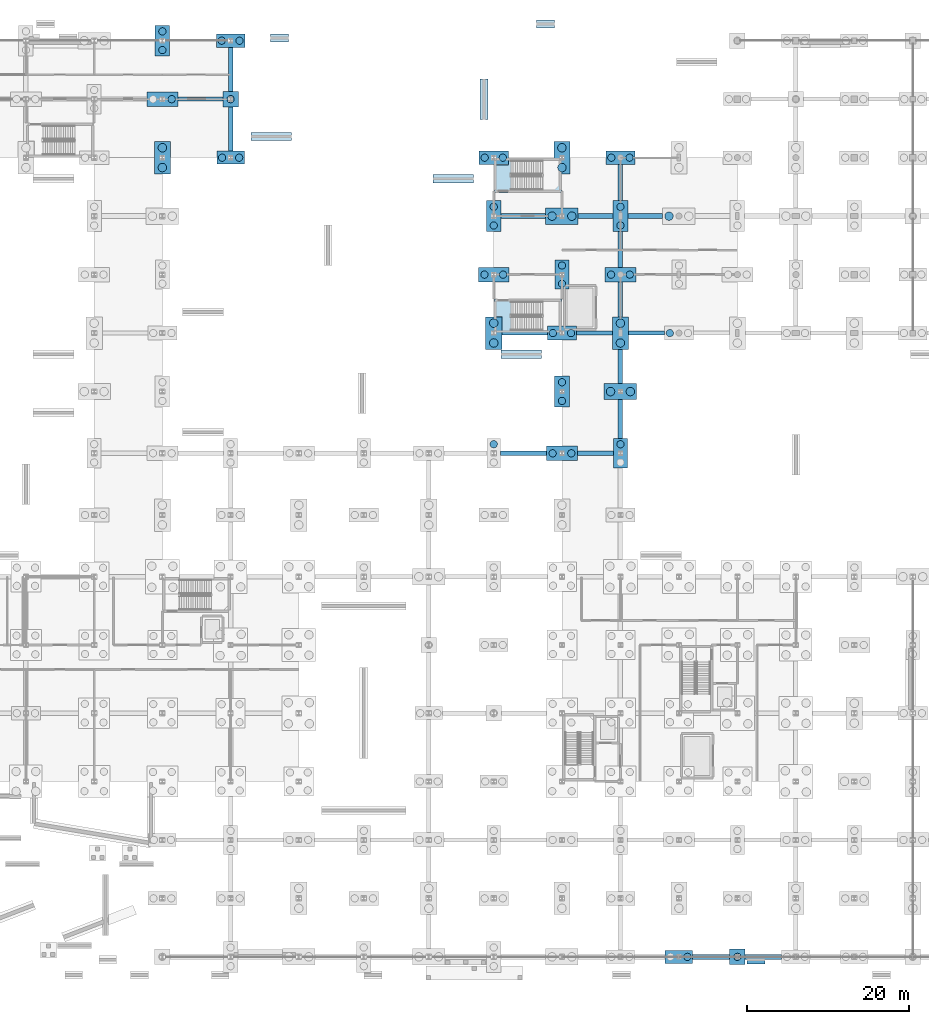
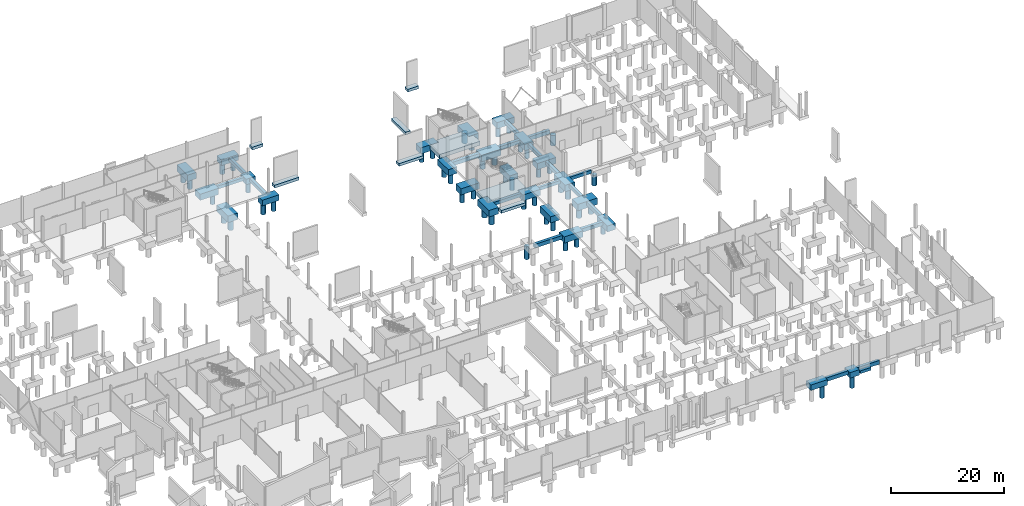
# One storey, part 9 of 61: 51 footings, 46 piles.
"""IFC4 building model written with IfcOpenShell, lengths in metres."""

from ifc_helpers import new_model, si_unit, direction, frame, origin, origin_2d, place, context, subcontext, project, spatial, polyline, rectangle, circle, outline, extrude, material, material_profile, profile_set, type_object, element, save


model = new_model("IFC4")

# Units and contexts
model_context = context("Model", 3, precision=1e-05, world=origin(), true_north=direction((0.0, 1.0)))
body_context = subcontext(model_context, "Body", "Model", "MODEL_VIEW")
ifc_project = project(units=[si_unit("LENGTHUNIT", "METRE"), si_unit("AREAUNIT", "SQUARE_METRE"), si_unit("VOLUMEUNIT", "CUBIC_METRE"), si_unit("PLANEANGLEUNIT", "RADIAN"), si_unit("MASSUNIT", "GRAM", prefix="KILO")], contexts=[model_context])

# Site, building, storey
site_placement = place(None, origin())
site = spatial("IfcSite", under=ifc_project, at=site_placement, CompositionType="ELEMENT")
building_placement = place(site_placement, origin())
building = spatial("IfcBuilding", under=site, at=building_placement, Name="Calvrana Isthmian Art Gallery", CompositionType="ELEMENT")
storey_placement = place(building_placement, frame((0.0, 0.0, -5.39990234375)))
storey = spatial("IfcBuildingStorey", under=building, at=storey_placement, Name="B1", CompositionType="ELEMENT", Elevation=-5.39990234375)

# Footings
ifc_material_1 = material(Name="Concrete C40/50", Category="concrete")
footing_type_1 = type_object("IfcFootingType", Name="FT-MAT-CORE", PredefinedType="PAD_FOOTING", material=ifc_material_1)
footing_1_placement = place(storey_placement, frame((0.0, 0.0, -1.300048828125)))
element("IfcFooting", 1, at=footing_1_placement, inside=storey, type_object=footing_type_1, Name="Core C5 mat footing", PredefinedType="PAD_FOOTING", context=body_context, shape_type="SweptSolid", body=[
    extrude(outline(polyline([(112.719970703125, 80.969970703125), (112.719970703125, 77.68994140625), (110.9599609375, 77.68994140625), (110.9599609375, 76.8798828125), (105.43994140625, 76.8798828125), (105.43994140625, 78.840087890625), (104.47998046875, 78.840087890625), (104.47998046875, 80.969970703125), (112.719970703125, 80.969970703125)])), origin(), (0.0, 0.0, 1.0), 0.849853515625),
])
footing_2_placement = place(storey_placement, frame((0.0, 0.0, -1.300048828125)))
element("IfcFooting", 2, at=footing_2_placement, inside=storey, type_object=footing_type_1, Name="Core C8 mat footing", PredefinedType="PAD_FOOTING", context=body_context, shape_type="SweptSolid", body=[
    extrude(outline(polyline([(112.719970703125, 94.1298828125), (104.47998046875, 94.1298828125), (104.47998046875, 97.510009765625), (106.239990234375, 97.510009765625), (106.239990234375, 98.320068359375), (111.760009765625, 98.320068359375), (111.760009765625, 96.360107421875), (112.719970703125, 96.360107421875), (112.719970703125, 94.1298828125)])), origin(), (0.0, 0.0, 1.0), 0.849853515625),
])
ifc_material_2 = material(Name="Concrete C35/45", Category="concrete")
footing_type_2 = type_object("IfcFootingType", Name="FT-PC-170X360X130", PredefinedType="PILE_CAP", material=ifc_material_2)
for number, where, z_axis, x_axis, name in (
    (3, (112.800048828125, 84.0, -1.75), (0.0, 0.0, 1.0), (1.0, 0.0, 0.0), "Pile cap 15/L"),
    (4, (120.0, 62.0, -1.75), (0.0, 0.0, 1.0), (1.0, 0.0, 0.0), "Pile cap 16/I"),
):
    element("IfcFooting", number, at=place(storey_placement, frame(where, z_axis=z_axis, x_axis=x_axis)), inside=storey, type_object=footing_type_2, Name=name, PredefinedType="PILE_CAP", context=body_context, shape_type="SweptSolid", body=[
        extrude(rectangle(XDim=1.699951171875, YDim=3.60009765625, at=origin_2d()), origin(), (0.0, 0.0, 1.0), 1.300048828125),
    ])
footing_type_3 = type_object("IfcFootingType", Name="FT-PC-180X380X135", PredefinedType="PILE_CAP", material=ifc_material_2)
for number, where, z_axis, x_axis, name in (
    (5, (63.60009765625, 112.800048828125, -1.800048828125), (0.0, 0.0, 1.0), (1.0, 0.0, 0.0), "Pile cap 09/P"),
    (6, (104.39990234375, 91.199951171875, -1.800048828125), (0.0, 0.0, 1.0), (1.0, 0.0, 0.0), "Pile cap 14/M"),
    (7, (112.800048828125, 69.60009765625, -1.800048828125), (0.0, 0.0, 1.0), (1.0, 0.0, 0.0), "Pile cap 15/J"),
    (8, (120.0, 91.199951171875, -1.800048828125), (0.0, 0.0, 1.0), (1.0, 0.0, 0.0), "Pile cap 16/M"),
):
    element("IfcFooting", number, at=place(storey_placement, frame(where, z_axis=z_axis, x_axis=x_axis)), inside=storey, type_object=footing_type_3, Name=name, PredefinedType="PILE_CAP", context=body_context, shape_type="SweptSolid", body=[
        extrude(rectangle(XDim=1.800048828125, YDim=3.800048828125, at=origin_2d()), origin(), (0.0, 0.0, 1.0), 1.35009765625),
    ])
footing_type_4 = type_object("IfcFootingType", Name="FT-PC-190X190X120", PredefinedType="PILE_CAP", material=ifc_material_2)
for number, where, z_axis, x_axis, name in (
    (9, (72.0, 105.60009765625, -1.64990234375), (0.0, 0.0, 1.0), (1.0, 0.0, 0.0), "Pile cap 10/O"),
    (10, (134.39990234375, 0.0, -1.2001953125), (0.0, 0.0, 1.0), (1.0, 0.0, 0.0), "Pile cap 18/A"),
):
    element("IfcFooting", number, at=place(storey_placement, frame(where, z_axis=z_axis, x_axis=x_axis)), inside=storey, type_object=footing_type_4, Name=name, PredefinedType="PILE_CAP", context=body_context, shape_type="SweptSolid", body=[
        extrude(rectangle(XDim=1.89990234375, YDim=1.89990234375, at=origin_2d()), origin(), (0.0, 0.0, 1.0), 1.199951171875),
    ])
footing_type_5 = type_object("IfcFootingType", Name="FT-PC-200X400X140", PredefinedType="PILE_CAP", material=ifc_material_2)
for number, where, z_axis, x_axis, name in (
    (11, (63.60009765625, 98.39990234375, -1.85009765625), (0.0, 0.0, 1.0), (1.0, 0.0, 0.0), "Pile cap 09/N"),
    (12, (104.39990234375, 76.800048828125, -1.85009765625), (0.0, 0.0, 1.0), (1.0, 0.0, 0.0), "Pile cap 14/K"),
    (13, (112.800048828125, 98.39990234375, -1.85009765625), (0.0, 0.0, 1.0), (1.0, 0.0, 0.0), "Pile cap 15/N"),
    (14, (120.0, 76.800048828125, -1.85009765625), (0.0, 0.0, 1.0), (1.0, 0.0, 0.0), "Pile cap 16/K"),
):
    element("IfcFooting", number, at=place(storey_placement, frame(where, z_axis=z_axis, x_axis=x_axis)), inside=storey, type_object=footing_type_5, Name=name, PredefinedType="PILE_CAP", context=body_context, shape_type="SweptSolid", body=[
        extrude(rectangle(XDim=2.0, YDim=4.0, at=origin_2d()), origin(), (0.0, 0.0, 1.0), 1.39990234375),
    ])
footing_type_6 = type_object("IfcFootingType", Name="FT-PC-340X160X120", PredefinedType="PILE_CAP", material=ifc_material_2)
for number, where, z_axis, x_axis, name in (
    (15, (72.0, 98.39990234375, -1.64990234375), (0.0, 0.0, 1.0), (1.0, 0.0, 0.0), "Pile cap 10/N"),
    (16, (127.199951171875, 0.0, -1.2001953125), (0.0, 0.0, 1.0), (1.0, 0.0, 0.0), "Pile cap 17/A"),
):
    element("IfcFooting", number, at=place(storey_placement, frame(where, z_axis=z_axis, x_axis=x_axis)), inside=storey, type_object=footing_type_6, Name=name, PredefinedType="PILE_CAP", context=body_context, shape_type="SweptSolid", body=[
        extrude(rectangle(XDim=3.39990234375, YDim=1.60009765625, at=origin_2d()), origin(), (0.0, 0.0, 1.0), 1.199951171875),
    ])
footing_type_7 = type_object("IfcFootingType", Name="FT-PC-350X165X125", PredefinedType="PILE_CAP", material=ifc_material_2)
footing_3_placement = place(storey_placement, frame((72.0, 112.800048828125, -1.7001953125), z_axis=(0.0, 0.0, 1.0), x_axis=(1.0, 0.0, 0.0)))
element("IfcFooting", 17, at=footing_3_placement, inside=storey, type_object=footing_type_7, Name="Pile cap 10/P", PredefinedType="PILE_CAP", context=body_context, shape_type="SweptSolid", body=[
    extrude(rectangle(XDim=3.5, YDim=1.64990234375, at=origin_2d()), origin(), (0.0, 0.0, 1.0), 1.25),
])
footing_type_8 = type_object("IfcFootingType", Name="FT-PC-360X170X130", PredefinedType="PILE_CAP", material=ifc_material_2)
for number, where, z_axis, x_axis, name in (
    (18, (104.39990234375, 98.39990234375, -1.75), (0.0, 0.0, 1.0), (1.0, 0.0, 0.0), "Pile cap 14/N"),
    (19, (112.800048828125, 76.800048828125, -1.75), (0.0, 0.0, 1.0), (1.0, 0.0, 0.0), "Pile cap 15/K"),
    (20, (120.0, 98.39990234375, -1.75), (0.0, 0.0, 1.0), (1.0, 0.0, 0.0), "Pile cap 16/N"),
):
    element("IfcFooting", number, at=place(storey_placement, frame(where, z_axis=z_axis, x_axis=x_axis)), inside=storey, type_object=footing_type_8, Name=name, PredefinedType="PILE_CAP", context=body_context, shape_type="SweptSolid", body=[
        extrude(rectangle(XDim=3.60009765625, YDim=1.699951171875, at=origin_2d()), origin(), (0.0, 0.0, 1.0), 1.300048828125),
    ])
footing_type_9 = type_object("IfcFootingType", Name="FT-PC-380X180X135", PredefinedType="PILE_CAP", material=ifc_material_2)
for number, where, z_axis, x_axis, name in (
    (21, (63.60009765625, 105.60009765625, -1.800048828125), (0.0, 0.0, 1.0), (1.0, 0.0, 0.0), "Pile cap 09/O"),
    (22, (104.39990234375, 84.0, -1.800048828125), (0.0, 0.0, 1.0), (1.0, 0.0, 0.0), "Pile cap 14/L"),
    (23, (112.800048828125, 62.0, -1.800048828125), (0.0, 0.0, 1.0), (1.0, 0.0, 0.0), "Pile cap 15/I"),
    (24, (120.0, 84.0, -1.800048828125), (0.0, 0.0, 1.0), (1.0, 0.0, 0.0), "Pile cap 16/L"),
):
    element("IfcFooting", number, at=place(storey_placement, frame(where, z_axis=z_axis, x_axis=x_axis)), inside=storey, type_object=footing_type_9, Name=name, PredefinedType="PILE_CAP", context=body_context, shape_type="SweptSolid", body=[
        extrude(rectangle(XDim=3.800048828125, YDim=1.800048828125, at=origin_2d()), origin(), (0.0, 0.0, 1.0), 1.35009765625),
    ])
footing_type_10 = type_object("IfcFootingType", Name="FT-PC-400X200X140", PredefinedType="PILE_CAP", material=ifc_material_2)
for number, where, z_axis, x_axis, name in (
    (25, (112.800048828125, 91.199951171875, -1.85009765625), (0.0, 0.0, 1.0), (1.0, 0.0, 0.0), "Pile cap 15/M"),
    (26, (120.0, 69.60009765625, -1.85009765625), (0.0, 0.0, 1.0), (1.0, 0.0, 0.0), "Pile cap 16/J"),
):
    element("IfcFooting", number, at=place(storey_placement, frame(where, z_axis=z_axis, x_axis=x_axis)), inside=storey, type_object=footing_type_10, Name=name, PredefinedType="PILE_CAP", context=body_context, shape_type="SweptSolid", body=[
        extrude(rectangle(XDim=4.0, YDim=2.0, at=origin_2d()), origin(), (0.0, 0.0, 1.0), 1.39990234375),
    ])
footing_type_11 = type_object("IfcFootingType", Name="FT-SF-1000X600", PredefinedType="STRIP_FOOTING", material=ifc_material_2)
footing_4_placement = place(storey_placement, frame((0.0, 0.0, -1.050048828125)))
element("IfcFooting", 27, at=footing_4_placement, inside=storey, type_object=footing_type_11, Name="Apron grade wall SLB_CYD_NE_S-B strip footing", PredefinedType="STRIP_FOOTING", context=body_context, shape_type="SweptSolid", body=[
    extrude(outline(polyline([(105.300048828125, 73.699951171875), (110.300048828125, 73.699951171875), (110.300048828125, 74.699951171875), (105.300048828125, 74.699951171875), (105.300048828125, 73.699951171875)])), origin(), (0.0, 0.0, 1.0), 0.599853515625),
])
footing_5_placement = place(storey_placement, frame((0.0, 0.0, -1.050048828125)))
element("IfcFooting", 28, at=footing_5_placement, inside=storey, type_object=footing_type_11, Name="Apron grade wall SLB_CYD_NE_M-B strip footing", PredefinedType="STRIP_FOOTING", context=body_context, shape_type="SweptSolid", body=[
    extrude(outline(polyline([(96.89990234375, 95.300048828125), (101.89990234375, 95.300048828125), (101.89990234375, 96.300048828125), (96.89990234375, 96.300048828125), (96.89990234375, 95.300048828125)])), origin(), (0.0, 0.0, 1.0), 0.599853515625),
])
footing_6_placement = place(storey_placement, frame((0.0, 0.0, -1.050048828125)))
element("IfcFooting", 29, at=footing_6_placement, inside=storey, type_object=footing_type_11, Name="Apron grade wall SLB_CYD_NE_N-A strip footing", PredefinedType="STRIP_FOOTING", context=body_context, shape_type="SweptSolid", body=[
    extrude(outline(polyline([(74.5, 100.5), (79.5, 100.5), (79.5, 101.5), (74.5, 101.5), (74.5, 100.5)])), origin(), (0.0, 0.0, 1.0), 0.599853515625),
])
footing_7_placement = place(storey_placement, frame((0.0, 0.0, -1.050048828125)))
element("IfcFooting", 30, at=footing_7_placement, inside=storey, type_object=footing_type_11, Name="Apron grade wall SLB_CYD_NE_N-C strip footing", PredefinedType="STRIP_FOOTING", context=body_context, shape_type="SweptSolid", body=[
    extrude(outline(polyline([(103.699951171875, 103.10009765625), (103.699951171875, 108.10009765625), (102.699951171875, 108.10009765625), (102.699951171875, 103.10009765625), (103.699951171875, 103.10009765625)])), origin(), (0.0, 0.0, 1.0), 0.599853515625),
])
footing_8_placement = place(storey_placement, frame((0.0, 0.0, -1.050048828125)))
element("IfcFooting", 31, at=footing_8_placement, inside=storey, type_object=footing_type_11, Name="Apron grade wall SLB_APR_SE_E-B strip footing", PredefinedType="STRIP_FOOTING", context=body_context, shape_type="SweptSolid", body=[
    extrude(outline(polyline([(137.803955078125, -0.85009765625), (135.60400390625, -0.85009765625), (135.60400390625, -0.31494140625), (137.803955078125, -0.31494140625), (137.803955078125, -0.85009765625)])), origin(), (0.0, 0.0, 1.0), 0.599853515625),
])
footing_9_placement = place(storey_placement, frame((0.0, 0.0, -1.050048828125)))
element("IfcFooting", 32, at=footing_9_placement, inside=storey, type_object=footing_type_11, Name="Apron grade wall SLB_APR_NORTH_E-A strip footing", PredefinedType="STRIP_FOOTING", context=body_context, shape_type="SweptSolid", body=[
    extrude(outline(polyline([(76.924072265625, 112.64990234375), (79.1240234375, 112.64990234375), (79.1240234375, 113.64990234375), (76.924072265625, 113.64990234375), (76.924072265625, 112.64990234375)])), origin(), (0.0, 0.0, 1.0), 0.599853515625),
])
footing_10_placement = place(storey_placement, frame((0.0, 0.0, -1.050048828125)))
element("IfcFooting", 33, at=footing_10_placement, inside=storey, type_object=footing_type_11, Name="Apron grade wall SLB_APR_NORTH_E-B strip footing", PredefinedType="STRIP_FOOTING", context=body_context, shape_type="SweptSolid", body=[
    extrude(outline(polyline([(109.68408203125, 114.35009765625), (111.884033203125, 114.35009765625), (111.884033203125, 115.35009765625), (109.68408203125, 115.35009765625), (109.68408203125, 114.35009765625)])), origin(), (0.0, 0.0, 1.0), 0.599853515625),
])
footing_type_12 = type_object("IfcFootingType", Name="FT-TB-500X700", PredefinedType="FOOTING_BEAM", material=ifc_material_2)
footing_11_placement = place(storey_placement, frame((0.0, 0.0, -1.150146484375)))
element("IfcFooting", 34, at=footing_11_placement, inside=storey, type_object=footing_type_12, Name="Footing tie beam X 08-14", PredefinedType="FOOTING_BEAM", context=body_context, shape_type="SweptSolid", body=[
    extrude(outline(polyline([(65.5, 105.35009765625), (71.050048828125, 105.35009765625), (71.050048828125, 105.85009765625), (65.5, 105.85009765625), (65.5, 105.35009765625)])), origin(), (0.0, 0.0, 1.0), 0.699951171875),
])
footing_12_placement = place(storey_placement, frame((0.0, 0.0, -1.150146484375)))
element("IfcFooting", 35, at=footing_12_placement, inside=storey, type_object=footing_type_12, Name="Footing tie beam X 13-10", PredefinedType="FOOTING_BEAM", context=body_context, shape_type="SweptSolid", body=[
    extrude(outline(polyline([(105.39990234375, 76.550048828125), (111.0, 76.550048828125), (111.0, 77.050048828125), (105.39990234375, 77.050048828125), (105.39990234375, 76.550048828125)])), origin(), (0.0, 0.0, 1.0), 0.699951171875),
])
footing_13_placement = place(storey_placement, frame((0.0, 0.0, -1.150146484375)))
element("IfcFooting", 36, at=footing_13_placement, inside=storey, type_object=footing_type_12, Name="Footing tie beam X 14-10", PredefinedType="FOOTING_BEAM", context=body_context, shape_type="SweptSolid", body=[
    extrude(outline(polyline([(114.60009765625, 76.550048828125), (119.0, 76.550048828125), (119.0, 77.050048828125), (114.60009765625, 77.050048828125), (114.60009765625, 76.550048828125)])), origin(), (0.0, 0.0, 1.0), 0.699951171875),
])
footing_14_placement = place(storey_placement, frame((0.0, 0.0, -1.150146484375)))
element("IfcFooting", 37, at=footing_14_placement, inside=storey, type_object=footing_type_12, Name="Footing tie beam X 15-10", PredefinedType="FOOTING_BEAM", context=body_context, shape_type="SweptSolid", body=[
    extrude(outline(polyline([(121.0, 76.550048828125), (125.39990234375, 76.550048828125), (125.39990234375, 77.050048828125), (121.0, 77.050048828125), (121.0, 76.550048828125)])), origin(), (0.0, 0.0, 1.0), 0.699951171875),
])
footing_type_13 = type_object("IfcFootingType", Name="FT-TB-550X750", PredefinedType="FOOTING_BEAM", material=ifc_material_2)
footing_15_placement = place(storey_placement, frame((0.0, 0.0, -1.2001953125)))
element("IfcFooting", 38, at=footing_15_placement, inside=storey, type_object=footing_type_13, Name="Footing tie beam Y 09-13", PredefinedType="FOOTING_BEAM", context=body_context, shape_type="SweptSolid", body=[
    extrude(outline(polyline([(71.72509765625, 99.199951171875), (72.27490234375, 99.199951171875), (72.27490234375, 104.64990234375), (71.72509765625, 104.64990234375), (71.72509765625, 99.199951171875)])), origin(), (0.0, 0.0, 1.0), 0.75),
])
footing_16_placement = place(storey_placement, frame((0.0, 0.0, -1.2001953125)))
element("IfcFooting", 39, at=footing_16_placement, inside=storey, type_object=footing_type_13, Name="Footing tie beam Y 09-14", PredefinedType="FOOTING_BEAM", context=body_context, shape_type="SweptSolid", body=[
    extrude(outline(polyline([(71.72509765625, 106.550048828125), (72.27490234375, 106.550048828125), (72.27490234375, 111.97509765625), (71.72509765625, 111.97509765625), (71.72509765625, 106.550048828125)])), origin(), (0.0, 0.0, 1.0), 0.75),
])
footing_17_placement = place(storey_placement, frame((0.0, 0.0, -1.2001953125)))
element("IfcFooting", 40, at=footing_17_placement, inside=storey, type_object=footing_type_13, Name="Footing tie beam Y 15-08", PredefinedType="FOOTING_BEAM", context=body_context, shape_type="SweptSolid", body=[
    extrude(outline(polyline([(119.72509765625, 63.800048828125), (120.27490234375, 63.800048828125), (120.27490234375, 68.60009765625), (119.72509765625, 68.60009765625), (119.72509765625, 63.800048828125)])), origin(), (0.0, 0.0, 1.0), 0.75),
])
footing_18_placement = place(storey_placement, frame((0.0, 0.0, -1.2001953125)))
element("IfcFooting", 41, at=footing_18_placement, inside=storey, type_object=footing_type_13, Name="Footing tie beam Y 15-09", PredefinedType="FOOTING_BEAM", context=body_context, shape_type="SweptSolid", body=[
    extrude(outline(polyline([(119.72509765625, 70.60009765625), (120.27490234375, 70.60009765625), (120.27490234375, 74.800048828125), (119.72509765625, 74.800048828125), (119.72509765625, 70.60009765625)])), origin(), (0.0, 0.0, 1.0), 0.75),
])
footing_19_placement = place(storey_placement, frame((0.0, 0.0, -1.2001953125)))
element("IfcFooting", 42, at=footing_19_placement, inside=storey, type_object=footing_type_13, Name="Footing tie beam Y 15-10", PredefinedType="FOOTING_BEAM", context=body_context, shape_type="SweptSolid", body=[
    extrude(outline(polyline([(119.72509765625, 78.800048828125), (120.27490234375, 78.800048828125), (120.27490234375, 83.10009765625), (119.72509765625, 83.10009765625), (119.72509765625, 78.800048828125)])), origin(), (0.0, 0.0, 1.0), 0.75),
])
footing_20_placement = place(storey_placement, frame((0.0, 0.0, -1.2001953125)))
element("IfcFooting", 43, at=footing_20_placement, inside=storey, type_object=footing_type_13, Name="Footing tie beam Y 15-11", PredefinedType="FOOTING_BEAM", context=body_context, shape_type="SweptSolid", body=[
    extrude(outline(polyline([(119.72509765625, 84.89990234375), (120.27490234375, 84.89990234375), (120.27490234375, 89.300048828125), (119.72509765625, 89.300048828125), (119.72509765625, 84.89990234375)])), origin(), (0.0, 0.0, 1.0), 0.75),
])
footing_21_placement = place(storey_placement, frame((0.0, 0.0, -1.2001953125)))
element("IfcFooting", 44, at=footing_21_placement, inside=storey, type_object=footing_type_13, Name="Footing tie beam Y 15-12", PredefinedType="FOOTING_BEAM", context=body_context, shape_type="SweptSolid", body=[
    extrude(outline(polyline([(119.72509765625, 93.10009765625), (120.27490234375, 93.10009765625), (120.27490234375, 97.550048828125), (119.72509765625, 97.550048828125), (119.72509765625, 93.10009765625)])), origin(), (0.0, 0.0, 1.0), 0.75),
])
footing_type_14 = type_object("IfcFootingType", Name="FT-TB-600X800", PredefinedType="FOOTING_BEAM", material=ifc_material_2)
footing_22_placement = place(storey_placement, frame((0.0, 0.0, -1.25)))
element("IfcFooting", 45, at=footing_22_placement, inside=storey, type_object=footing_type_14, Name="Footing tie beam X 13-08", PredefinedType="FOOTING_BEAM", context=body_context, shape_type="SweptSolid", body=[
    extrude(outline(polyline([(105.25, 61.699951171875), (110.89990234375, 61.699951171875), (110.89990234375, 62.300048828125), (105.25, 62.300048828125), (105.25, 61.699951171875)])), origin(), (0.0, 0.0, 1.0), 0.7998046875),
])
footing_23_placement = place(storey_placement, frame((0.0, 0.0, -1.25)))
element("IfcFooting", 46, at=footing_23_placement, inside=storey, type_object=footing_type_14, Name="Footing tie beam X 13-12", PredefinedType="FOOTING_BEAM", context=body_context, shape_type="SweptSolid", body=[
    extrude(outline(polyline([(105.300048828125, 90.89990234375), (110.800048828125, 90.89990234375), (110.800048828125, 91.5), (105.300048828125, 91.5), (105.300048828125, 90.89990234375)])), origin(), (0.0, 0.0, 1.0), 0.7998046875),
])
footing_24_placement = place(storey_placement, frame((0.0, 0.0, -1.25)))
element("IfcFooting", 47, at=footing_24_placement, inside=storey, type_object=footing_type_14, Name="Footing tie beam X 14-08", PredefinedType="FOOTING_BEAM", context=body_context, shape_type="SweptSolid", body=[
    extrude(outline(polyline([(114.699951171875, 61.699951171875), (119.14990234375, 61.699951171875), (119.14990234375, 62.300048828125), (114.699951171875, 62.300048828125), (114.699951171875, 61.699951171875)])), origin(), (0.0, 0.0, 1.0), 0.7998046875),
])
footing_25_placement = place(storey_placement, frame((0.0, 0.0, -1.25)))
element("IfcFooting", 48, at=footing_25_placement, inside=storey, type_object=footing_type_14, Name="Footing tie beam X 14-12", PredefinedType="FOOTING_BEAM", context=body_context, shape_type="SweptSolid", body=[
    extrude(outline(polyline([(114.800048828125, 90.89990234375), (119.10009765625, 90.89990234375), (119.10009765625, 91.5), (114.800048828125, 91.5), (114.800048828125, 90.89990234375)])), origin(), (0.0, 0.0, 1.0), 0.7998046875),
])
footing_26_placement = place(storey_placement, frame((0.0, 0.0, -1.25)))
element("IfcFooting", 49, at=footing_26_placement, inside=storey, type_object=footing_type_14, Name="Footing tie beam X 15-12", PredefinedType="FOOTING_BEAM", context=body_context, shape_type="SweptSolid", body=[
    extrude(outline(polyline([(120.89990234375, 90.89990234375), (125.199951171875, 90.89990234375), (125.199951171875, 91.5), (120.89990234375, 91.5), (120.89990234375, 90.89990234375)])), origin(), (0.0, 0.0, 1.0), 0.7998046875),
])
footing_27_placement = place(storey_placement, frame((0.0, 0.0, -0.800048828125)))
element("IfcFooting", 50, at=footing_27_placement, inside=storey, type_object=footing_type_14, Name="Footing tie beam X 16-00", PredefinedType="FOOTING_BEAM", context=body_context, shape_type="SweptSolid", body=[
    extrude(outline(polyline([(128.89990234375, -0.300048828125), (133.449951171875, -0.300048828125), (133.449951171875, 0.300048828125), (128.89990234375, 0.300048828125), (128.89990234375, -0.300048828125)])), origin(), (0.0, 0.0, 1.0), 0.800048828125),
])
footing_28_placement = place(storey_placement, frame((0.0, 0.0, -0.800048828125)))
element("IfcFooting", 51, at=footing_28_placement, inside=storey, type_object=footing_type_14, Name="Footing tie beam X 17-00", PredefinedType="FOOTING_BEAM", context=body_context, shape_type="SweptSolid", body=[
    extrude(outline(polyline([(135.35009765625, -0.300048828125), (139.85009765625, -0.300048828125), (139.85009765625, 0.300048828125), (135.35009765625, 0.300048828125), (135.35009765625, -0.300048828125)])), origin(), (0.0, 0.0, 1.0), 0.800048828125),
])

# Piles
ifc_material_profile_1 = material_profile(ifc_material_2, circle(Radius=0.52490234375, at=origin_2d()), Name="PILE1050D")
ifc_profile_set_1 = profile_set([ifc_material_profile_1], Name="Concrete C35/45")
pile_type_1 = type_object("IfcPileType", Name="PILE-D1050", PredefinedType="BORED", material=ifc_profile_set_1)
for number, where, z_axis, x_axis, name in (
    (52, (63.60009765625, 97.179931640625, -1.75), (0.0, 0.0, -1.0), (1.0, 0.0, 0.0), "Bored pile PL-218"),
    (53, (63.60009765625, 99.6201171875, -1.75), (0.0, 0.0, -1.0), (1.0, 0.0, 0.0), "Bored pile PL-219"),
    (54, (104.39990234375, 75.580078125, -1.75), (0.0, 0.0, -1.0), (1.0, 0.0, 0.0), "Bored pile PL-327"),
    (55, (104.39990234375, 78.02001953125, -1.75), (0.0, 0.0, -1.0), (1.0, 0.0, 0.0), "Bored pile PL-328"),
    (56, (111.580078125, 91.199951171875, -1.75), (0.0, 0.0, -1.0), (1.0, 0.0, 0.0), "Bored pile PL-367"),
    (57, (114.02001953125, 91.199951171875, -1.75), (0.0, 0.0, -1.0), (1.0, 0.0, 0.0), "Bored pile PL-368"),
    (58, (112.800048828125, 97.179931640625, -1.75), (0.0, 0.0, -1.0), (1.0, 0.0, 0.0), "Bored pile PL-369"),
    (59, (112.800048828125, 99.6201171875, -1.75), (0.0, 0.0, -1.0), (1.0, 0.0, 0.0), "Bored pile PL-370"),
    (60, (118.780029296875, 69.60009765625, -1.75), (0.0, 0.0, -1.0), (1.0, 0.0, 0.0), "Bored pile PL-397"),
    (61, (121.219970703125, 69.60009765625, -1.75), (0.0, 0.0, -1.0), (1.0, 0.0, 0.0), "Bored pile PL-398"),
    (62, (120.0, 75.580078125, -1.75), (0.0, 0.0, -1.0), (1.0, 0.0, 0.0), "Bored pile PL-399"),
    (63, (120.0, 78.02001953125, -1.75), (0.0, 0.0, -1.0), (1.0, 0.0, 0.0), "Bored pile PL-400"),
    (64, (125.97998046875, 91.199951171875, -1.75), (0.0, 0.0, -1.0), (1.0, 0.0, 0.0), "Bored pile PL-433"),
):
    element("IfcPile", number, at=place(storey_placement, frame(where, z_axis=z_axis, x_axis=x_axis)), inside=storey, type_object=pile_type_1, Name=name, PredefinedType="BORED", context=body_context, shape_type="SweptSolid", body=[
        extrude(circle(Radius=0.52490234375, at=origin_2d()), origin(), (0.0, 0.0, 1.0), 2.25),
    ])
ifc_material_profile_2 = material_profile(ifc_material_2, circle(Radius=0.449951171875, at=origin_2d()), Name="PILE900D")
ifc_profile_set_2 = profile_set([ifc_material_profile_2], Name="Concrete C35/45")
pile_type_2 = type_object("IfcPileType", Name="PILE-D900", PredefinedType="BORED", material=ifc_profile_set_2)
for number, where, z_axis, x_axis, name in (
    (65, (64.75, 105.60009765625, -1.7001953125), (0.0, 0.0, -1.0), (1.0, 0.0, 0.0), "Bored pile PL-221"),
    (66, (63.60009765625, 111.64990234375, -1.7001953125), (0.0, 0.0, -1.0), (1.0, 0.0, 0.0), "Bored pile PL-222"),
    (67, (63.60009765625, 113.949951171875, -1.7001953125), (0.0, 0.0, -1.0), (1.0, 0.0, 0.0), "Bored pile PL-223"),
):
    element("IfcPile", number, at=place(storey_placement, frame(where, z_axis=z_axis, x_axis=x_axis)), inside=storey, type_object=pile_type_2, Name=name, PredefinedType="BORED", context=body_context, shape_type="SweptSolid", body=[
        extrude(circle(Radius=0.449951171875, at=origin_2d()), origin(), (0.0, 0.0, 1.0), 2.300048828125),
    ])
for number, where, z_axis, x_axis, name in (
    (68, (70.949951171875, 98.39990234375, -1.550048828125), (0.0, 0.0, -1.0), (1.0, 0.0, 0.0), "Bored pile PL-250"),
    (69, (73.050048828125, 98.39990234375, -1.550048828125), (0.0, 0.0, -1.0), (1.0, 0.0, 0.0), "Bored pile PL-251"),
    (70, (72.0, 105.60009765625, -1.550048828125), (0.0, 0.0, -1.0), (1.0, 0.0, 0.0), "Bored pile PL-252"),
):
    element("IfcPile", number, at=place(storey_placement, frame(where, z_axis=z_axis, x_axis=x_axis)), inside=storey, type_object=pile_type_2, Name=name, PredefinedType="BORED", context=body_context, shape_type="SweptSolid", body=[
        extrude(circle(Radius=0.449951171875, at=origin_2d()), origin(), (0.0, 0.0, 1.0), 2.449951171875),
    ])
for number, where, z_axis, x_axis, name in (
    (71, (70.89990234375, 112.800048828125, -1.60009765625), (0.0, 0.0, -1.0), (1.0, 0.0, 0.0), "Bored pile PL-253"),
    (72, (73.10009765625, 112.800048828125, -1.60009765625), (0.0, 0.0, -1.0), (1.0, 0.0, 0.0), "Bored pile PL-254"),
):
    element("IfcPile", number, at=place(storey_placement, frame(where, z_axis=z_axis, x_axis=x_axis)), inside=storey, type_object=pile_type_2, Name=name, PredefinedType="BORED", context=body_context, shape_type="SweptSolid", body=[
        extrude(circle(Radius=0.449951171875, at=origin_2d()), origin(), (0.0, 0.0, 1.0), 2.39990234375),
    ])
pile_1_placement = place(storey_placement, frame((104.39990234375, 63.1201171875, -1.2001953125), z_axis=(0.0, 0.0, -1.0), x_axis=(1.0, 0.0, 0.0)))
element("IfcPile", 73, at=pile_1_placement, inside=storey, type_object=pile_type_2, Name="Bored pile PL-326", PredefinedType="BORED", context=body_context, shape_type="SweptSolid", body=[
    extrude(circle(Radius=0.449951171875, at=origin_2d()), origin(), (0.0, 0.0, 1.0), 2.800048828125),
])
for number, where, z_axis, x_axis, name in (
    (74, (103.25, 84.0, -1.7001953125), (0.0, 0.0, -1.0), (1.0, 0.0, 0.0), "Bored pile PL-329"),
    (75, (105.550048828125, 84.0, -1.7001953125), (0.0, 0.0, -1.0), (1.0, 0.0, 0.0), "Bored pile PL-330"),
    (76, (104.39990234375, 90.050048828125, -1.7001953125), (0.0, 0.0, -1.0), (1.0, 0.0, 0.0), "Bored pile PL-331"),
    (77, (104.39990234375, 92.35009765625, -1.7001953125), (0.0, 0.0, -1.0), (1.0, 0.0, 0.0), "Bored pile PL-332"),
):
    element("IfcPile", number, at=place(storey_placement, frame(where, z_axis=z_axis, x_axis=x_axis)), inside=storey, type_object=pile_type_2, Name=name, PredefinedType="BORED", context=body_context, shape_type="SweptSolid", body=[
        extrude(circle(Radius=0.449951171875, at=origin_2d()), origin(), (0.0, 0.0, 1.0), 2.300048828125),
    ])
for number, where, z_axis, x_axis, name in (
    (78, (103.280029296875, 98.39990234375, -1.650146484375), (0.0, 0.0, -1.0), (1.0, 0.0, 0.0), "Bored pile PL-333"),
    (79, (105.52001953125, 98.39990234375, -1.650146484375), (0.0, 0.0, -1.0), (1.0, 0.0, 0.0), "Bored pile PL-334"),
):
    element("IfcPile", number, at=place(storey_placement, frame(where, z_axis=z_axis, x_axis=x_axis)), inside=storey, type_object=pile_type_2, Name=name, PredefinedType="BORED", context=body_context, shape_type="SweptSolid", body=[
        extrude(circle(Radius=0.449951171875, at=origin_2d()), origin(), (0.0, 0.0, 1.0), 2.35009765625),
    ])
for number, where, z_axis, x_axis, name in (
    (80, (111.64990234375, 62.0, -1.7001953125), (0.0, 0.0, -1.0), (1.0, 0.0, 0.0), "Bored pile PL-359"),
    (81, (113.949951171875, 62.0, -1.7001953125), (0.0, 0.0, -1.0), (1.0, 0.0, 0.0), "Bored pile PL-360"),
    (82, (112.800048828125, 68.449951171875, -1.7001953125), (0.0, 0.0, -1.0), (1.0, 0.0, 0.0), "Bored pile PL-361"),
    (83, (112.800048828125, 70.75, -1.7001953125), (0.0, 0.0, -1.0), (1.0, 0.0, 0.0), "Bored pile PL-362"),
):
    element("IfcPile", number, at=place(storey_placement, frame(where, z_axis=z_axis, x_axis=x_axis)), inside=storey, type_object=pile_type_2, Name=name, PredefinedType="BORED", context=body_context, shape_type="SweptSolid", body=[
        extrude(circle(Radius=0.449951171875, at=origin_2d()), origin(), (0.0, 0.0, 1.0), 2.300048828125),
    ])
for number, where, z_axis, x_axis, name in (
    (84, (111.679931640625, 76.800048828125, -1.650146484375), (0.0, 0.0, -1.0), (1.0, 0.0, 0.0), "Bored pile PL-363"),
    (85, (113.919921875, 76.800048828125, -1.650146484375), (0.0, 0.0, -1.0), (1.0, 0.0, 0.0), "Bored pile PL-364"),
    (86, (112.800048828125, 82.8798828125, -1.650146484375), (0.0, 0.0, -1.0), (1.0, 0.0, 0.0), "Bored pile PL-365"),
    (87, (112.800048828125, 85.1201171875, -1.650146484375), (0.0, 0.0, -1.0), (1.0, 0.0, 0.0), "Bored pile PL-366"),
    (88, (120.0, 63.1201171875, -1.650146484375), (0.0, 0.0, -1.0), (1.0, 0.0, 0.0), "Bored pile PL-396"),
):
    element("IfcPile", number, at=place(storey_placement, frame(where, z_axis=z_axis, x_axis=x_axis)), inside=storey, type_object=pile_type_2, Name=name, PredefinedType="BORED", context=body_context, shape_type="SweptSolid", body=[
        extrude(circle(Radius=0.449951171875, at=origin_2d()), origin(), (0.0, 0.0, 1.0), 2.35009765625),
    ])
for number, where, z_axis, x_axis, name in (
    (89, (118.85009765625, 84.0, -1.7001953125), (0.0, 0.0, -1.0), (1.0, 0.0, 0.0), "Bored pile PL-401"),
    (90, (121.14990234375, 84.0, -1.7001953125), (0.0, 0.0, -1.0), (1.0, 0.0, 0.0), "Bored pile PL-402"),
    (91, (120.0, 90.050048828125, -1.7001953125), (0.0, 0.0, -1.0), (1.0, 0.0, 0.0), "Bored pile PL-403"),
    (92, (120.0, 92.35009765625, -1.7001953125), (0.0, 0.0, -1.0), (1.0, 0.0, 0.0), "Bored pile PL-404"),
):
    element("IfcPile", number, at=place(storey_placement, frame(where, z_axis=z_axis, x_axis=x_axis)), inside=storey, type_object=pile_type_2, Name=name, PredefinedType="BORED", context=body_context, shape_type="SweptSolid", body=[
        extrude(circle(Radius=0.449951171875, at=origin_2d()), origin(), (0.0, 0.0, 1.0), 2.300048828125),
    ])
for number, where, z_axis, x_axis, name in (
    (93, (118.8798828125, 98.39990234375, -1.650146484375), (0.0, 0.0, -1.0), (1.0, 0.0, 0.0), "Bored pile PL-405"),
    (94, (121.1201171875, 98.39990234375, -1.650146484375), (0.0, 0.0, -1.0), (1.0, 0.0, 0.0), "Bored pile PL-406"),
):
    element("IfcPile", number, at=place(storey_placement, frame(where, z_axis=z_axis, x_axis=x_axis)), inside=storey, type_object=pile_type_2, Name=name, PredefinedType="BORED", context=body_context, shape_type="SweptSolid", body=[
        extrude(circle(Radius=0.449951171875, at=origin_2d()), origin(), (0.0, 0.0, 1.0), 2.35009765625),
    ])
pile_2_placement = place(storey_placement, frame((128.25, 0.0, -1.10009765625), z_axis=(0.0, 0.0, -1.0), x_axis=(1.0, 0.0, 0.0)))
element("IfcPile", 95, at=pile_2_placement, inside=storey, type_object=pile_type_2, Name="Bored pile PL-408", PredefinedType="BORED", context=body_context, shape_type="SweptSolid", body=[
    extrude(circle(Radius=0.449951171875, at=origin_2d()), origin(), (0.0, 0.0, 1.0), 2.89990234375),
])
pile_3_placement = place(storey_placement, frame((126.080078125, 76.800048828125, -1.650146484375), z_axis=(0.0, 0.0, -1.0), x_axis=(1.0, 0.0, 0.0)))
element("IfcPile", 96, at=pile_3_placement, inside=storey, type_object=pile_type_2, Name="Bored pile PL-429", PredefinedType="BORED", context=body_context, shape_type="SweptSolid", body=[
    extrude(circle(Radius=0.449951171875, at=origin_2d()), origin(), (0.0, 0.0, 1.0), 2.35009765625),
])
pile_4_placement = place(storey_placement, frame((134.39990234375, 0.0, -1.10009765625), z_axis=(0.0, 0.0, -1.0), x_axis=(1.0, 0.0, 0.0)))
element("IfcPile", 97, at=pile_4_placement, inside=storey, type_object=pile_type_2, Name="Bored pile PL-437", PredefinedType="BORED", context=body_context, shape_type="SweptSolid", body=[
    extrude(circle(Radius=0.449951171875, at=origin_2d()), origin(), (0.0, 0.0, 1.0), 2.89990234375),
])

save(model, "model.ifc")
